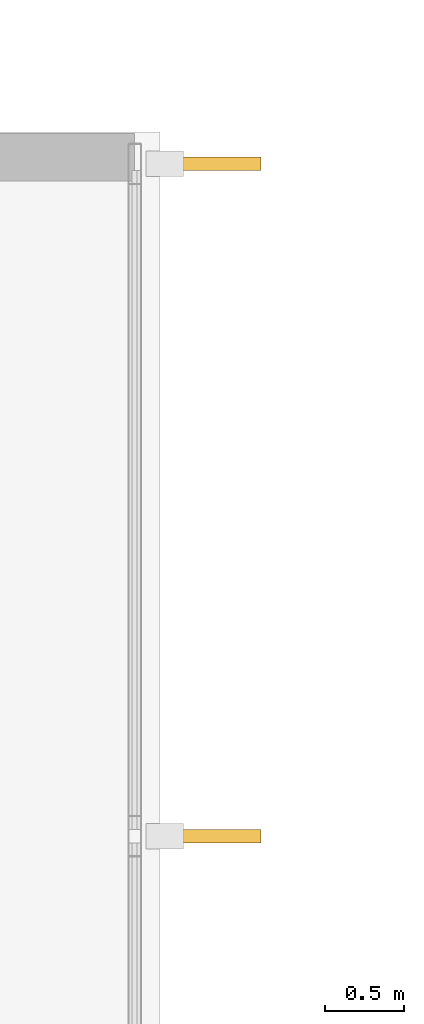
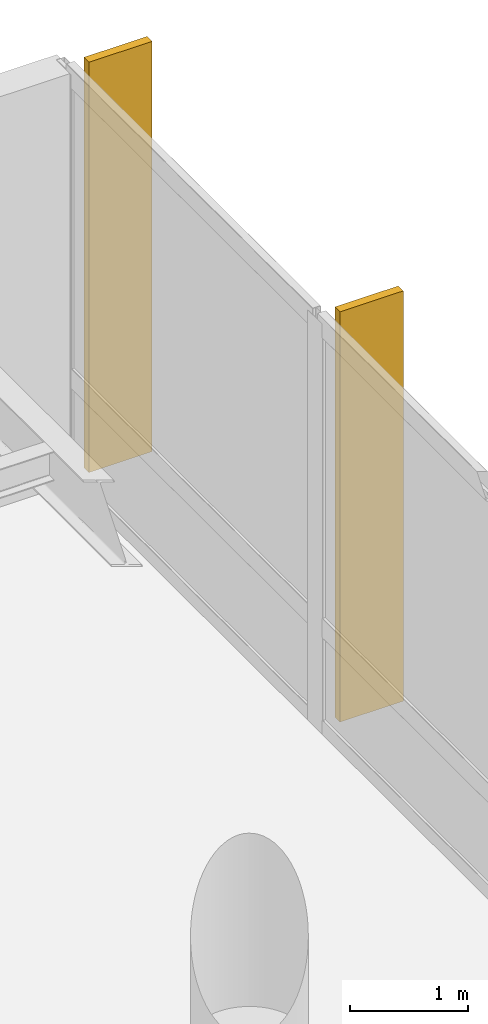
# One storey, part 25 of 26: 2 shading devices.
"""IFC4 building model written with IfcOpenShell, lengths in metres."""

from ifc_helpers import new_model, si_unit, direction, frame, origin, origin_2d, place, context, subcontext, project, spatial, rectangle, extrude, material, layer, layer_set, type_object, element, save


model = new_model("IFC4")

# Units and contexts
model_context = context("Model", 3, precision=1e-05, world=origin(), true_north=direction((0.0, 1.0)))
body_context = subcontext(model_context, "Body", "Model", "MODEL_VIEW")
ifc_project = project(units=[si_unit("LENGTHUNIT", "METRE"), si_unit("AREAUNIT", "SQUARE_METRE"), si_unit("VOLUMEUNIT", "CUBIC_METRE"), si_unit("PLANEANGLEUNIT", "RADIAN"), si_unit("MASSUNIT", "GRAM", prefix="KILO")], contexts=[model_context])

# Site, building, storey
site_placement = place(None, origin())
site = spatial("IfcSite", under=ifc_project, at=site_placement, CompositionType="ELEMENT")
building_placement = place(site_placement, origin())
building = spatial("IfcBuilding", under=site, at=building_placement, Name="Varnakote Quay Hospital", CompositionType="ELEMENT")
storey_placement = place(building_placement, origin())
storey = spatial("IfcBuildingStorey", under=building, at=storey_placement, Name="L00", CompositionType="ELEMENT", Elevation=0.0)

# Shading devices
ifc_material = material(Name="Anodised aluminium 6063-T6 Bronze", Category="aluminium")
ifc_layer = layer(ifc_material, 0.0849609375)
ifc_layer_set = layer_set([ifc_layer], Name="Anodised aluminium 6063-T6 Bronze")
shading_device_type = type_object("IfcShadingDeviceType", Name="SHD-BRONZE-FIN-620", PredefinedType="USERDEFINED", material=ifc_layer_set)
for number, where, z_axis, x_axis, name in (
    (1, (87.330078125, 40.934326171875, 0.0), (0.0, 0.0, 1.0), (-1.0, 0.0, 0.0), "L00 Anodised Bronze Vertical Shading FIN"),
    (2, (87.330078125, 45.197509765625, 0.0), (0.0, 0.0, 1.0), (-1.0, 0.0, 0.0), "L00 Anodised Bronze Vertical Shading FIN"),
):
    element("IfcShadingDevice", number, at=place(storey_placement, frame(where, z_axis=z_axis, x_axis=x_axis)), inside=storey, type_object=shading_device_type, Name=name, ObjectType="FIN", PredefinedType="USERDEFINED", context=body_context, shape_type="SweptSolid", body=[
        extrude(rectangle(XDim=0.6201171875, YDim=0.0849609375, at=origin_2d()), origin(), (0.0, 0.0, 1.0), 4.25),
    ])

save(model, "model.ifc")
